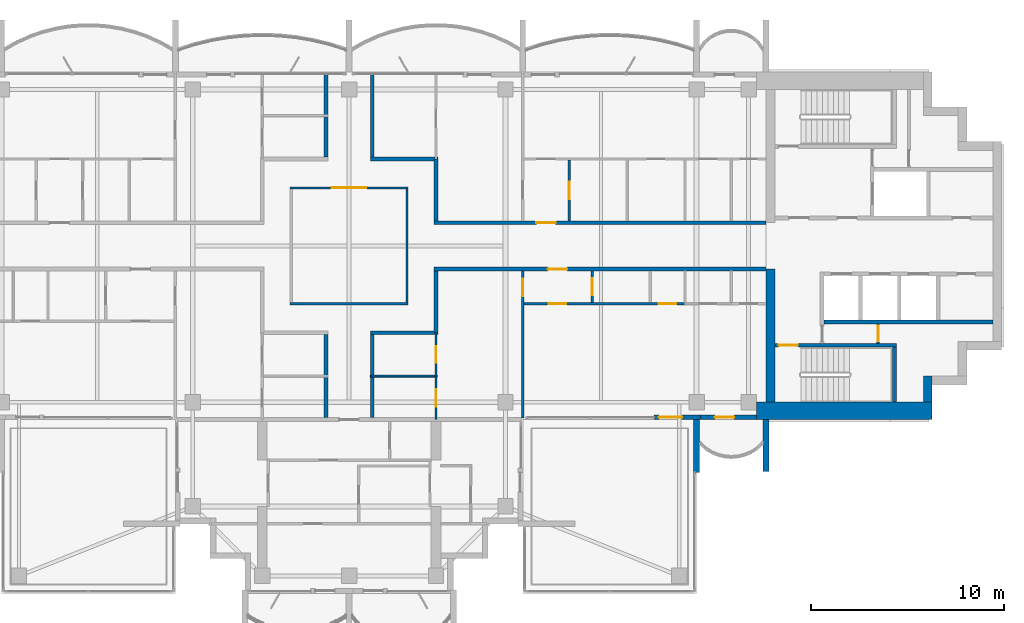
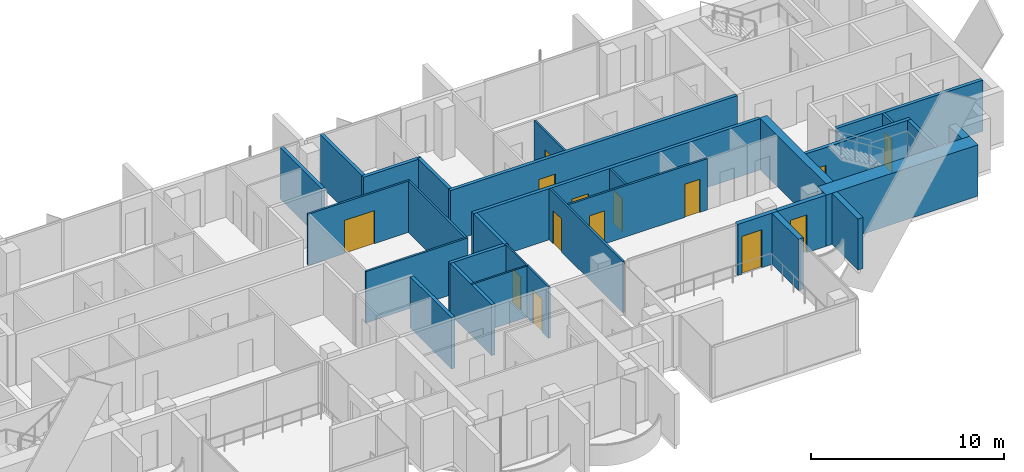
# One storey, part 10 of 16: 31 walls, 14 doors, 14 openings.
"""IFC4 building model written with IfcOpenShell, lengths in metres."""

from ifc_helpers import new_model, si_unit, direction, frame, frame_2d, origin, place, context, subcontext, project, spatial, rectangle, extrude, material, layer, layer_set, type_object, element, fill, save


model = new_model("IFC4")

# Units and contexts
model_context = context("Model", 3, precision=1e-05, world=origin(), true_north=direction((0.0, 1.0)))
body_context = subcontext(model_context, "Body", "Model", "MODEL_VIEW")
ifc_project = project(units=[si_unit("LENGTHUNIT", "METRE"), si_unit("AREAUNIT", "SQUARE_METRE"), si_unit("VOLUMEUNIT", "CUBIC_METRE"), si_unit("PLANEANGLEUNIT", "RADIAN"), si_unit("MASSUNIT", "GRAM", prefix="KILO")], contexts=[model_context])

# Site, building, storey
site_placement = place(None, origin())
site = spatial("IfcSite", under=ifc_project, at=site_placement, CompositionType="ELEMENT")
building_placement = place(site_placement, origin())
building = spatial("IfcBuilding", under=site, at=building_placement, Name="Perihelion Cross Residences", CompositionType="ELEMENT")
storey_placement = place(building_placement, frame((0.0, 0.0, 239.5)))
storey = spatial("IfcBuildingStorey", under=building, at=storey_placement, Name="L60", CompositionType="ELEMENT", Elevation=239.5)

# Wall, opening, door
ifc_material_1 = material(Name="Plasterboard partition")
ifc_layer_1 = layer(ifc_material_1, 0.199951171875)
ifc_layer_set_1 = layer_set([ifc_layer_1], Name="Apartment separation wall 200")
wall_type_1 = type_object("IfcWallType", Name="Apartment separation wall 200", PredefinedType="PARTITIONING", material=ifc_layer_set_1)
wall_1_placement = place(storey_placement, frame((4.39990234375, 1.199951171875, 0.0), z_axis=(0.0, 0.0, 1.0), x_axis=(1.0, 0.0, 0.0)))
wall_1 = element("IfcWall", 1, at=wall_1_placement, inside=storey, type_object=wall_type_1, Name="Partition L60 W005", PredefinedType="PARTITIONING", context=body_context, shape_type="SweptSolid", body=[
    extrude(rectangle(XDim=17.2001953125, YDim=0.199951171875, at=frame_2d((8.60009765625, 0.0))), origin(), (0.0, 0.0, 1.0), 3.25),
])
opening_1_placement = place(wall_1_placement, frame((5.300048828125, 0.0, 0.0)))
opening_1 = element("IfcOpeningElement", 2, at=opening_1_placement, cuts=wall_1, Name="Opening L60.A39", PredefinedType="OPENING", context=body_context, shape_type="SweptSolid", body=[
    extrude(rectangle(XDim=1.0, YDim=2.10009765625, at=frame_2d((0.5, 1.050048828125))), frame((0.0, 0.10986328125, 0.0), z_axis=(0.0, -1.0, 0.0), x_axis=(1.0, 0.0, 0.0)), (0.0, 0.0, 1.0), 0.219970703125),
])
ifc_material_2 = material(Name="Timber door leaf", Category="wood")
door_type_1 = type_object("IfcDoorType", Name="Flat entrance door 1000 x 2100", OperationType="SINGLE_SWING_LEFT", PredefinedType="DOOR", material=ifc_material_2)
door_1_placement = place(opening_1_placement, origin())
door_1 = element("IfcDoor", 3, at=door_1_placement, inside=storey, type_object=door_type_1, Name="Door L60.A39", OperationType="SINGLE_SWING_RIGHT", OverallHeight=2.10009765625, OverallWidth=1.0, PredefinedType="DOOR", context=body_context, shape_type="SweptSolid", body=[
    extrude(rectangle(XDim=1.0, YDim=2.10009765625, at=frame_2d((0.5, 1.050048828125))), frame((0.0, 0.02490234375, 0.0), z_axis=(0.0, -1.0, 0.0), x_axis=(1.0, 0.0, 0.0)), (0.0, 0.0, 1.0), 0.050048828125),
])
fill(opening_1, door_1)

# Walls
wall_2_placement = place(storey_placement, frame((4.5, 4.5, 0.0), z_axis=(0.0, 0.0, 1.0), x_axis=(0.0, -1.0, 0.0)))
element("IfcWall", 4, at=wall_2_placement, inside=storey, type_object=wall_type_1, Name="Partition L60 W006", PredefinedType="PARTITIONING", context=body_context, shape_type="SweptSolid", body=[
    extrude(rectangle(XDim=3.199951171875, YDim=0.199951171875, at=frame_2d((1.60009765625, 0.0))), origin(), (0.0, 0.0, 1.0), 3.25),
])
wall_3_placement = place(storey_placement, frame((1.199951171875, 8.919921875, 0.0), z_axis=(0.0, 0.0, 1.0), x_axis=(0.0, -1.0, 0.0)))
element("IfcWall", 5, at=wall_3_placement, inside=storey, type_object=wall_type_1, Name="Partition L60 W007", PredefinedType="PARTITIONING", context=body_context, shape_type="SweptSolid", body=[
    extrude(rectangle(XDim=4.31982421875, YDim=0.199951171875, at=frame_2d((2.159912109375, 0.0))), origin(), (0.0, 0.0, 1.0), 3.25),
])
wall_4_placement = place(storey_placement, frame((1.10009765625, 4.5, 0.0), z_axis=(0.0, 0.0, 1.0), x_axis=(1.0, 0.0, 0.0)))
element("IfcWall", 6, at=wall_4_placement, inside=storey, type_object=wall_type_1, Name="Partition L60 W008", PredefinedType="PARTITIONING", context=body_context, shape_type="SweptSolid", body=[
    extrude(rectangle(XDim=3.5, YDim=0.199951171875, at=frame_2d((1.75, 0.0))), origin(), (0.0, 0.0, 1.0), 3.25),
])

# Wall, opening, door
wall_5_placement = place(storey_placement, frame((21.60009765625, -1.199951171875, 0.0), z_axis=(0.0, 0.0, 1.0), x_axis=(-1.0, 0.0, 0.0)))
wall_5 = element("IfcWall", 7, at=wall_5_placement, inside=storey, type_object=wall_type_1, Name="Partition L60 W009", PredefinedType="PARTITIONING", context=body_context, shape_type="SweptSolid", body=[
    extrude(rectangle(XDim=17.2001953125, YDim=0.199951171875, at=frame_2d((8.60009765625, 0.0))), origin(), (0.0, 0.0, 1.0), 3.25),
])
opening_2_placement = place(wall_5_placement, frame((10.300048828125, 0.0, 0.0)))
opening_2 = element("IfcOpeningElement", 8, at=opening_2_placement, cuts=wall_5, Name="Opening L60.A40", PredefinedType="OPENING", context=body_context, shape_type="SweptSolid", body=[
    extrude(rectangle(XDim=1.0, YDim=2.10009765625, at=frame_2d((0.5, 1.050048828125))), frame((0.0, 0.10986328125, 0.0), z_axis=(0.0, -1.0, 0.0), x_axis=(1.0, 0.0, 0.0)), (0.0, 0.0, 1.0), 0.219970703125),
])
door_2_placement = place(opening_2_placement, origin())
door_2 = element("IfcDoor", 9, at=door_2_placement, inside=storey, type_object=door_type_1, Name="Door L60.A40", OperationType="SINGLE_SWING_RIGHT", OverallHeight=2.10009765625, OverallWidth=1.0, PredefinedType="DOOR", context=body_context, shape_type="SweptSolid", body=[
    extrude(rectangle(XDim=1.0, YDim=2.10009765625, at=frame_2d((0.5, 1.050048828125))), frame((0.0, 0.02490234375, 0.0), z_axis=(0.0, -1.0, 0.0), x_axis=(1.0, 0.0, 0.0)), (0.0, 0.0, 1.0), 0.050048828125),
])
fill(opening_2, door_2)

# Walls
wall_6_placement = place(storey_placement, frame((4.5, -1.300048828125, 0.0), z_axis=(0.0, 0.0, 1.0), x_axis=(0.0, -1.0, 0.0)))
element("IfcWall", 10, at=wall_6_placement, inside=storey, type_object=wall_type_1, Name="Partition L60 W010", PredefinedType="PARTITIONING", context=body_context, shape_type="SweptSolid", body=[
    extrude(rectangle(XDim=3.199951171875, YDim=0.199951171875, at=frame_2d((1.60009765625, 0.0))), origin(), (0.0, 0.0, 1.0), 3.25),
])
wall_7_placement = place(storey_placement, frame((4.60009765625, -4.5, 0.0), z_axis=(0.0, 0.0, 1.0), x_axis=(-1.0, 0.0, 0.0)))
element("IfcWall", 11, at=wall_7_placement, inside=storey, type_object=wall_type_1, Name="Partition L60 W011", PredefinedType="PARTITIONING", context=body_context, shape_type="SweptSolid", body=[
    extrude(rectangle(XDim=3.5, YDim=0.199951171875, at=frame_2d((1.75, 0.0))), origin(), (0.0, 0.0, 1.0), 3.25),
])
wall_8_placement = place(storey_placement, frame((1.199951171875, -4.60009765625, 0.0), z_axis=(0.0, 0.0, 1.0), x_axis=(0.0, -1.0, 0.0)))
element("IfcWall", 12, at=wall_8_placement, inside=storey, type_object=wall_type_1, Name="Partition L60 W012", PredefinedType="PARTITIONING", context=body_context, shape_type="SweptSolid", body=[
    extrude(rectangle(XDim=4.2998046875, YDim=0.199951171875, at=frame_2d((2.14990234375, 0.0))), origin(), (0.0, 0.0, 1.0), 3.25),
])
wall_9_placement = place(storey_placement, frame((-1.199951171875, 4.60009765625, 0.0), z_axis=(0.0, 0.0, 1.0), x_axis=(0.0, 1.0, 0.0)))
element("IfcWall", 13, at=wall_9_placement, inside=storey, type_object=wall_type_1, Name="Partition L60 W016", PredefinedType="PARTITIONING", context=body_context, shape_type="SweptSolid", body=[
    extrude(rectangle(XDim=4.31982421875, YDim=0.199951171875, at=frame_2d((2.159912109375, 0.0))), origin(), (0.0, 0.0, 1.0), 3.25),
])
wall_10_placement = place(storey_placement, frame((-1.199951171875, -8.89990234375, 0.0), z_axis=(0.0, 0.0, 1.0), x_axis=(0.0, 1.0, 0.0)))
element("IfcWall", 14, at=wall_10_placement, inside=storey, type_object=wall_type_1, Name="Partition L60 W019", PredefinedType="PARTITIONING", context=body_context, shape_type="SweptSolid", body=[
    extrude(rectangle(XDim=4.2998046875, YDim=0.199951171875, at=frame_2d((2.14990234375, 0.0))), origin(), (0.0, 0.0, 1.0), 3.25),
])

# Wall, opening, door
ifc_material_3 = material(Name="Concrete C30/37, bronze-clad", Category="concrete")
ifc_layer_2 = layer(ifc_material_3, 0.25)
ifc_layer_set_2 = layer_set([ifc_layer_2], Name="Bronze-clad pier wall 250")
wall_type_2 = type_object("IfcWallType", Name="Bronze-clad pier wall 250", PredefinedType="SOLIDWALL", material=ifc_layer_set_2)
wall_11_placement = place(storey_placement, frame((15.800048828125, -8.875, 0.0), z_axis=(0.0, 0.0, 1.0), x_axis=(1.0, 0.0, 0.0)))
wall_11 = element("IfcWall", 15, at=wall_11_placement, inside=storey, type_object=wall_type_2, Name="Wall FW1 L60 east side south bay 1 pier", PredefinedType="SOLIDWALL", context=body_context, shape_type="SweptSolid", body=[
    extrude(rectangle(XDim=2.39990234375, YDim=0.25, at=frame_2d((1.199951171875, 0.0))), origin(), (0.0, 0.0, 1.0), 3.25),
])
opening_3_placement = place(wall_11_placement, frame((0.25, 0.0, 0.0)))
opening_3 = element("IfcOpeningElement", 16, at=opening_3_placement, cuts=wall_11, Name="Opening L60.E13", PredefinedType="OPENING", context=body_context, shape_type="SweptSolid", body=[
    extrude(rectangle(XDim=1.199951171875, YDim=2.39990234375, at=frame_2d((0.60009765625, 1.199951171875))), frame((0.0, 0.135009765625, 0.0), z_axis=(0.0, -1.0, 0.0), x_axis=(1.0, 0.0, 0.0)), (0.0, 0.0, 1.0), 0.27001953125),
])
ifc_material_4 = material(Name="Bronze anodised aluminium, glazed", Category="aluminium")
door_type_2 = type_object("IfcDoorType", Name="Balcony door 1200 x 2400", OperationType="NOTDEFINED", PredefinedType="DOOR", material=ifc_material_4)
door_3_placement = place(opening_3_placement, origin())
door_3 = element("IfcDoor", 17, at=door_3_placement, inside=storey, type_object=door_type_2, Name="Door L60.E13 east side south bay 1", OperationType="SINGLE_SWING_LEFT", OverallHeight=2.39990234375, OverallWidth=1.199951171875, PredefinedType="DOOR", context=body_context, shape_type="SweptSolid", body=[
    extrude(rectangle(XDim=1.199951171875, YDim=2.39990234375, at=frame_2d((0.60009765625, 1.199951171875))), frame((0.0, 0.02490234375, 0.0), z_axis=(0.0, -1.0, 0.0), x_axis=(1.0, 0.0, 0.0)), (0.0, 0.0, 1.0), 0.050048828125),
])
fill(opening_3, door_3)

wall_12_placement = place(storey_placement, frame((18.199951171875, -8.875, 0.0), z_axis=(0.0, 0.0, 1.0), x_axis=(1.0, 0.0, 0.0)))
wall_12 = element("IfcWall", 18, at=wall_12_placement, inside=storey, type_object=wall_type_2, Name="Wall FW1 L60 east side south bay 2 pier", PredefinedType="SOLIDWALL", context=body_context, shape_type="SweptSolid", body=[
    extrude(rectangle(XDim=2.900146484375, YDim=0.25, at=frame_2d((1.4501953125, 0.0))), origin(), (0.0, 0.0, 1.0), 3.25),
])
opening_4_placement = place(wall_12_placement, frame((0.75, 0.0, 0.0)))
opening_4 = element("IfcOpeningElement", 19, at=opening_4_placement, cuts=wall_12, Name="Opening L60.E14", PredefinedType="OPENING", context=body_context, shape_type="SweptSolid", body=[
    extrude(rectangle(XDim=1.0, YDim=2.39990234375, at=frame_2d((0.5, 1.199951171875))), frame((0.0, 0.135009765625, 0.0), z_axis=(0.0, -1.0, 0.0), x_axis=(1.0, 0.0, 0.0)), (0.0, 0.0, 1.0), 0.27001953125),
])
ifc_material_5 = material(Name="Bronze anodised aluminium, glazed", Category="aluminium")
door_type_3 = type_object("IfcDoorType", Name="Balcony door 1000 x 2400", OperationType="NOTDEFINED", PredefinedType="DOOR", material=ifc_material_5)
door_4_placement = place(opening_4_placement, origin())
door_4 = element("IfcDoor", 20, at=door_4_placement, inside=storey, type_object=door_type_3, Name="Door L60.E14 east side south bay 2", OperationType="SINGLE_SWING_RIGHT", OverallHeight=2.39990234375, OverallWidth=1.0, PredefinedType="DOOR", context=body_context, shape_type="SweptSolid", body=[
    extrude(rectangle(XDim=1.0, YDim=2.39990234375, at=frame_2d((0.5, 1.199951171875))), frame((0.0, 0.02490234375, 0.0), z_axis=(0.0, -1.0, 0.0), x_axis=(1.0, 0.0, 0.0)), (0.0, 0.0, 1.0), 0.050048828125),
])
fill(opening_4, door_4)

# Walls
ifc_material_6 = material(Name="Concrete C60/75", Category="concrete")
ifc_layer_3 = layer(ifc_material_6, 0.449951171875)
ifc_layer_set_3 = layer_set([ifc_layer_3], Name="Core wall, inner 450")
wall_type_3 = type_object("IfcWallType", Name="Core wall, inner 450", PredefinedType="SHEAR", material=ifc_layer_set_3)
wall_13_placement = place(storey_placement, frame((21.824951171875, -8.10009765625, 0.0), z_axis=(0.0, 0.0, 1.0), x_axis=(0.0, 1.0, 0.0)))
element("IfcWall", 21, at=wall_13_placement, inside=storey, type_object=wall_type_3, Name="East core core wall, inner", PredefinedType="SHEAR", context=body_context, shape_type="SweptSolid", body=[
    extrude(rectangle(XDim=6.900146484375, YDim=0.449951171875, at=frame_2d((3.4501953125, 0.0))), origin(), (0.0, 0.0, 1.0), 3.25),
])
ifc_material_7 = material(Name="Concrete C60/75", Category="concrete")
ifc_layer_4 = layer(ifc_material_7, 0.449951171875)
ifc_layer_set_4 = layer_set([ifc_layer_4], Name="Core wall, outer 450")
wall_type_4 = type_object("IfcWallType", Name="Core wall, outer 450", PredefinedType="SHEAR", material=ifc_layer_set_4)
wall_14_placement = place(storey_placement, frame((29.97509765625, -8.10009765625, 0.0), z_axis=(0.0, 0.0, 1.0), x_axis=(0.0, 1.0, 0.0)))
element("IfcWall", 22, at=wall_14_placement, inside=storey, type_object=wall_type_4, Name="East core core wall, outer", PredefinedType="SHEAR", context=body_context, shape_type="SweptSolid", body=[
    extrude(rectangle(XDim=1.35009765625, YDim=0.449951171875, at=frame_2d((0.675048828125, 0.0))), origin(), (0.0, 0.0, 1.0), 3.25),
])
ifc_material_8 = material(Name="Concrete C60/75", Category="concrete")
ifc_layer_5 = layer(ifc_material_8, 0.89990234375)
ifc_layer_set_5 = layer_set([ifc_layer_5], Name="Core wall, outer 900")
wall_type_5 = type_object("IfcWallType", Name="Core wall, outer 900", PredefinedType="SHEAR", material=ifc_layer_set_5)
wall_15_placement = place(storey_placement, frame((21.10009765625, -8.550048828125, 0.0), z_axis=(0.0, 0.0, 1.0), x_axis=(1.0, 0.0, 0.0)))
element("IfcWall", 23, at=wall_15_placement, inside=storey, type_object=wall_type_5, Name="East core core wall, outer", PredefinedType="SHEAR", context=body_context, shape_type="SweptSolid", body=[
    extrude(rectangle(XDim=9.099853515625, YDim=0.89990234375, at=frame_2d((4.5498046875, 0.0))), origin(), (0.0, 0.0, 1.0), 3.25),
])
ifc_material_9 = material(Name="Plasterboard partition")
ifc_layer_6 = layer(ifc_material_9, 0.1201171875)
ifc_layer_set_6 = layer_set([ifc_layer_6], Name="Partition wall 120")
wall_type_6 = type_object("IfcWallType", Name="Partition wall 120", PredefinedType="PARTITIONING", material=ifc_layer_set_6)
wall_16_placement = place(storey_placement, frame((-3.06005859375, -3.0, 0.0), z_axis=(0.0, 0.0, 1.0), x_axis=(1.0, 0.0, 0.0)))
element("IfcWall", 24, at=wall_16_placement, inside=storey, type_object=wall_type_6, Name="Partition L60 W001", PredefinedType="PARTITIONING", context=body_context, shape_type="SweptSolid", body=[
    extrude(rectangle(XDim=6.1201171875, YDim=0.1201171875, at=frame_2d((3.06005859375, 0.0))), origin(), (0.0, 0.0, 1.0), 3.25),
])
wall_17_placement = place(storey_placement, frame((3.0, -2.93994140625, 0.0), z_axis=(0.0, 0.0, 1.0), x_axis=(0.0, 1.0, 0.0)))
element("IfcWall", 25, at=wall_17_placement, inside=storey, type_object=wall_type_6, Name="Partition L60 W002", PredefinedType="PARTITIONING", context=body_context, shape_type="SweptSolid", body=[
    extrude(rectangle(XDim=5.8798828125, YDim=0.1201171875, at=frame_2d((2.93994140625, 0.0))), origin(), (0.0, 0.0, 1.0), 3.25),
])

# Wall, opening, door
wall_18_placement = place(storey_placement, frame((3.06005859375, 3.0, 0.0), z_axis=(0.0, 0.0, 1.0), x_axis=(-1.0, 0.0, 0.0)))
wall_18 = element("IfcWall", 26, at=wall_18_placement, inside=storey, type_object=wall_type_6, Name="Partition L60 W003", PredefinedType="PARTITIONING", context=body_context, shape_type="SweptSolid", body=[
    extrude(rectangle(XDim=6.1201171875, YDim=0.1201171875, at=frame_2d((3.06005859375, 0.0))), origin(), (0.0, 0.0, 1.0), 3.25),
])
opening_5_placement = place(wall_18_placement, frame((2.159912109375, 0.0, 0.0)))
opening_5 = element("IfcOpeningElement", 27, at=opening_5_placement, cuts=wall_18, Name="Opening L60.A01", PredefinedType="OPENING", context=body_context, shape_type="SweptSolid", body=[
    extrude(rectangle(XDim=1.800048828125, YDim=2.10009765625, at=frame_2d((0.89990234375, 1.050048828125))), frame((0.0, 0.070068359375, 0.0), z_axis=(0.0, -1.0, 0.0), x_axis=(1.0, 0.0, 0.0)), (0.0, 0.0, 1.0), 0.14013671875),
])
ifc_material_10 = material(Name="Glazed timber door leaf", Category="wood")
door_type_4 = type_object("IfcDoorType", Name="Interior double leaf door 1800 x 2100", OperationType="DOUBLE_DOOR_SINGLE_SWING", PredefinedType="DOOR", material=ifc_material_10)
door_5_placement = place(opening_5_placement, origin())
door_5 = element("IfcDoor", 28, at=door_5_placement, inside=storey, type_object=door_type_4, Name="Door L60.A01", OperationType="SINGLE_SWING_LEFT", OverallHeight=2.10009765625, OverallWidth=1.800048828125, PredefinedType="DOOR", context=body_context, shape_type="SweptSolid", body=[
    extrude(rectangle(XDim=1.800048828125, YDim=2.10009765625, at=frame_2d((0.89990234375, 1.050048828125))), frame((0.0, 0.02490234375, 0.0), z_axis=(0.0, -1.0, 0.0), x_axis=(1.0, 0.0, 0.0)), (0.0, 0.0, 1.0), 0.050048828125),
])
fill(opening_5, door_5)

wall_19_placement = place(storey_placement, frame((11.39990234375, 4.43994140625, 0.0), z_axis=(0.0, 0.0, 1.0), x_axis=(0.0, -1.0, 0.0)))
wall_19 = element("IfcWall", 29, at=wall_19_placement, inside=storey, type_object=wall_type_6, Name="Partition L60 W022", PredefinedType="PARTITIONING", context=body_context, shape_type="SweptSolid", body=[
    extrude(rectangle(XDim=3.139892578125, YDim=0.1201171875, at=frame_2d((1.56982421875, 0.0))), origin(), (0.0, 0.0, 1.0), 3.25),
])
opening_6_placement = place(wall_19_placement, frame((1.1201171875, 0.0, 0.0)))
opening_6 = element("IfcOpeningElement", 30, at=opening_6_placement, cuts=wall_19, Name="Opening L60.A04", PredefinedType="OPENING", context=body_context, shape_type="SweptSolid", body=[
    extrude(rectangle(XDim=0.89990234375, YDim=2.10009765625, at=frame_2d((0.449951171875, 1.050048828125))), frame((0.0, 0.070068359375, 0.0), z_axis=(0.0, -1.0, 0.0), x_axis=(1.0, 0.0, 0.0)), (0.0, 0.0, 1.0), 0.14013671875),
])
ifc_material_11 = material(Name="Timber door leaf", Category="wood")
door_type_5 = type_object("IfcDoorType", Name="Interior room door 900 x 2100", OperationType="SINGLE_SWING_LEFT", PredefinedType="DOOR", material=ifc_material_11)
door_6_placement = place(opening_6_placement, origin())
door_6 = element("IfcDoor", 31, at=door_6_placement, inside=storey, type_object=door_type_5, Name="Door L60.A04", OperationType="SINGLE_SWING_LEFT", OverallHeight=2.10009765625, OverallWidth=0.89990234375, PredefinedType="DOOR", context=body_context, shape_type="SweptSolid", body=[
    extrude(rectangle(XDim=0.89990234375, YDim=2.10009765625, at=frame_2d((0.449951171875, 1.050048828125))), frame((0.0, 0.02490234375, 0.0), z_axis=(0.0, -1.0, 0.0), x_axis=(1.0, 0.0, 0.0)), (0.0, 0.0, 1.0), 0.050048828125),
])
fill(opening_6, door_6)

wall_20_placement = place(storey_placement, frame((12.60009765625, -1.300048828125, 0.0), z_axis=(0.0, 0.0, 1.0), x_axis=(0.0, -1.0, 0.0)))
wall_20 = element("IfcWall", 32, at=wall_20_placement, inside=storey, type_object=wall_type_6, Name="Partition L60 W032", PredefinedType="PARTITIONING", context=body_context, shape_type="SweptSolid", body=[
    extrude(rectangle(XDim=1.639892578125, YDim=0.1201171875, at=frame_2d((0.81982421875, 0.0))), origin(), (0.0, 0.0, 1.0), 3.25),
])
opening_7_placement = place(wall_20_placement, frame((0.3701171875, 0.0, 0.0)))
opening_7 = element("IfcOpeningElement", 33, at=opening_7_placement, cuts=wall_20, Name="Opening L60.A13", PredefinedType="OPENING", context=body_context, shape_type="SweptSolid", body=[
    extrude(rectangle(XDim=0.89990234375, YDim=2.10009765625, at=frame_2d((0.449951171875, 1.050048828125))), frame((0.0, 0.070068359375, 0.0), z_axis=(0.0, -1.0, 0.0), x_axis=(1.0, 0.0, 0.0)), (0.0, 0.0, 1.0), 0.14013671875),
])
door_7_placement = place(opening_7_placement, origin())
door_7 = element("IfcDoor", 34, at=door_7_placement, inside=storey, type_object=door_type_5, Name="Door L60.A13", OperationType="SINGLE_SWING_LEFT", OverallHeight=2.10009765625, OverallWidth=0.89990234375, PredefinedType="DOOR", context=body_context, shape_type="SweptSolid", body=[
    extrude(rectangle(XDim=0.89990234375, YDim=2.10009765625, at=frame_2d((0.449951171875, 1.050048828125))), frame((0.0, 0.02490234375, 0.0), z_axis=(0.0, -1.0, 0.0), x_axis=(1.0, 0.0, 0.0)), (0.0, 0.0, 1.0), 0.050048828125),
])
fill(opening_7, door_7)

# Wall, openings, doors
wall_21_placement = place(storey_placement, frame((17.39990234375, -3.0, 0.0), z_axis=(0.0, 0.0, 1.0), x_axis=(-1.0, 0.0, 0.0)))
wall_21 = element("IfcWall", 35, at=wall_21_placement, inside=storey, type_object=wall_type_6, Name="Partition L60 W033", PredefinedType="PARTITIONING", context=body_context, shape_type="SweptSolid", body=[
    extrude(rectangle(XDim=8.4599609375, YDim=0.1201171875, at=frame_2d((4.22998046875, 0.0))), origin(), (0.0, 0.0, 1.0), 3.25),
])
opening_8_placement = place(wall_21_placement, frame((0.449951171875, 0.0, 0.0)))
opening_8 = element("IfcOpeningElement", 36, at=opening_8_placement, cuts=wall_21, Name="Opening L60.A14", PredefinedType="OPENING", context=body_context, shape_type="SweptSolid", body=[
    extrude(rectangle(XDim=0.89990234375, YDim=2.10009765625, at=frame_2d((0.449951171875, 1.050048828125))), frame((0.0, 0.070068359375, 0.0), z_axis=(0.0, -1.0, 0.0), x_axis=(1.0, 0.0, 0.0)), (0.0, 0.0, 1.0), 0.14013671875),
])
opening_9_placement = place(wall_21_placement, frame((6.14990234375, 0.0, 0.0)))
opening_9 = element("IfcOpeningElement", 37, at=opening_9_placement, cuts=wall_21, Name="Opening L60.A16", PredefinedType="OPENING", context=body_context, shape_type="SweptSolid", body=[
    extrude(rectangle(XDim=0.89990234375, YDim=2.10009765625, at=frame_2d((0.449951171875, 1.050048828125))), frame((0.0, 0.070068359375, 0.0), z_axis=(0.0, -1.0, 0.0), x_axis=(1.0, 0.0, 0.0)), (0.0, 0.0, 1.0), 0.14013671875),
])
door_8_placement = place(opening_8_placement, origin())
door_8 = element("IfcDoor", 38, at=door_8_placement, inside=storey, type_object=door_type_5, Name="Door L60.A14", OperationType="SINGLE_SWING_RIGHT", OverallHeight=2.10009765625, OverallWidth=0.89990234375, PredefinedType="DOOR", context=body_context, shape_type="SweptSolid", body=[
    extrude(rectangle(XDim=0.89990234375, YDim=2.10009765625, at=frame_2d((0.449951171875, 1.050048828125))), frame((0.0, 0.02490234375, 0.0), z_axis=(0.0, -1.0, 0.0), x_axis=(1.0, 0.0, 0.0)), (0.0, 0.0, 1.0), 0.050048828125),
])
fill(opening_8, door_8)
door_9_placement = place(opening_9_placement, origin())
door_9 = element("IfcDoor", 39, at=door_9_placement, inside=storey, type_object=door_type_5, Name="Door L60.A16", OperationType="SINGLE_SWING_RIGHT", OverallHeight=2.10009765625, OverallWidth=0.89990234375, PredefinedType="DOOR", context=body_context, shape_type="SweptSolid", body=[
    extrude(rectangle(XDim=0.89990234375, YDim=2.10009765625, at=frame_2d((0.449951171875, 1.050048828125))), frame((0.0, 0.02490234375, 0.0), z_axis=(0.0, -1.0, 0.0), x_axis=(1.0, 0.0, 0.0)), (0.0, 0.0, 1.0), 0.050048828125),
])
fill(opening_9, door_9)

# Wall, opening, door
wall_22_placement = place(storey_placement, frame((9.0, -8.919921875, 0.0), z_axis=(0.0, 0.0, 1.0), x_axis=(0.0, 1.0, 0.0)))
wall_22 = element("IfcWall", 40, at=wall_22_placement, inside=storey, type_object=wall_type_6, Name="Partition L60 W034", PredefinedType="PARTITIONING", context=body_context, shape_type="SweptSolid", body=[
    extrude(rectangle(XDim=7.619873046875, YDim=0.1201171875, at=frame_2d((3.81005859375, 0.0))), origin(), (0.0, 0.0, 1.0), 3.25),
])
opening_10_placement = place(wall_22_placement, frame((6.320068359375, 0.0, 0.0)))
opening_10 = element("IfcOpeningElement", 41, at=opening_10_placement, cuts=wall_22, Name="Opening L60.A12", PredefinedType="OPENING", context=body_context, shape_type="SweptSolid", body=[
    extrude(rectangle(XDim=0.89990234375, YDim=2.10009765625, at=frame_2d((0.449951171875, 1.050048828125))), frame((0.0, 0.070068359375, 0.0), z_axis=(0.0, -1.0, 0.0), x_axis=(1.0, 0.0, 0.0)), (0.0, 0.0, 1.0), 0.14013671875),
])
door_10_placement = place(opening_10_placement, origin())
door_10 = element("IfcDoor", 42, at=door_10_placement, inside=storey, type_object=door_type_5, Name="Door L60.A12", OperationType="SINGLE_SWING_RIGHT", OverallHeight=2.10009765625, OverallWidth=0.89990234375, PredefinedType="DOOR", context=body_context, shape_type="SweptSolid", body=[
    extrude(rectangle(XDim=0.89990234375, YDim=2.10009765625, at=frame_2d((0.449951171875, 1.050048828125))), frame((0.0, 0.02490234375, 0.0), z_axis=(0.0, -1.0, 0.0), x_axis=(1.0, 0.0, 0.0)), (0.0, 0.0, 1.0), 0.050048828125),
])
fill(opening_10, door_10)

wall_23_placement = place(storey_placement, frame((4.5, -9.0, 0.0), z_axis=(0.0, 0.0, 1.0), x_axis=(0.0, 1.0, 0.0)))
wall_23 = element("IfcWall", 43, at=wall_23_placement, inside=storey, type_object=wall_type_6, Name="Partition L60 W041", PredefinedType="PARTITIONING", context=body_context, shape_type="SweptSolid", body=[
    extrude(rectangle(XDim=2.25, YDim=0.1201171875, at=frame_2d((1.125, 0.0))), origin(), (0.0, 0.0, 1.0), 3.25),
])
opening_11_placement = place(wall_23_placement, frame((0.675048828125, 0.0, 0.0)))
opening_11 = element("IfcOpeningElement", 44, at=opening_11_placement, cuts=wall_23, Name="Opening L60.A15", PredefinedType="OPENING", context=body_context, shape_type="SweptSolid", body=[
    extrude(rectangle(XDim=0.89990234375, YDim=2.10009765625, at=frame_2d((0.449951171875, 1.050048828125))), frame((0.0, 0.070068359375, 0.0), z_axis=(0.0, -1.0, 0.0), x_axis=(1.0, 0.0, 0.0)), (0.0, 0.0, 1.0), 0.14013671875),
])
door_11_placement = place(opening_11_placement, origin())
door_11 = element("IfcDoor", 45, at=door_11_placement, inside=storey, type_object=door_type_5, Name="Door L60.A15", OperationType="SINGLE_SWING_RIGHT", OverallHeight=2.10009765625, OverallWidth=0.89990234375, PredefinedType="DOOR", context=body_context, shape_type="SweptSolid", body=[
    extrude(rectangle(XDim=0.89990234375, YDim=2.10009765625, at=frame_2d((0.449951171875, 1.050048828125))), frame((0.0, 0.02490234375, 0.0), z_axis=(0.0, -1.0, 0.0), x_axis=(1.0, 0.0, 0.0)), (0.0, 0.0, 1.0), 0.050048828125),
])
fill(opening_11, door_11)

# Walls
ifc_material_12 = material(Name="Precast concrete C50/60", Category="concrete")
ifc_layer_7 = layer(ifc_material_12, 0.300048828125)
ifc_layer_set_7 = layer_set([ifc_layer_7], Name="Precast concrete C50/60 blade wall 300")
wall_type_7 = type_object("IfcWallType", Name="Precast concrete C50/60 blade wall 300", PredefinedType="SOLIDWALL", material=ifc_layer_set_7)
wall_24_placement = place(storey_placement, frame((18.0, -9.0, 0.0), z_axis=(0.0, 0.0, 1.0), x_axis=(0.0, -1.0, 0.0)))
element("IfcWall", 46, at=wall_24_placement, inside=storey, type_object=wall_type_7, Name="Wall BL1 L60 no. 10", PredefinedType="SOLIDWALL", context=body_context, shape_type="SweptSolid", body=[
    extrude(rectangle(XDim=2.739990234375, YDim=0.300048828125, at=frame_2d((1.3701171875, 0.0))), origin(), (0.0, 0.0, 1.0), 3.25),
])
wall_25_placement = place(storey_placement, frame((21.60009765625, -9.0, 0.0), z_axis=(0.0, 0.0, 1.0), x_axis=(0.0, -1.0, 0.0)))
element("IfcWall", 47, at=wall_25_placement, inside=storey, type_object=wall_type_7, Name="Wall BL1 L60 no. 12", PredefinedType="SOLIDWALL", context=body_context, shape_type="SweptSolid", body=[
    extrude(rectangle(XDim=2.699951171875, YDim=0.300048828125, at=frame_2d((1.35009765625, 0.0))), origin(), (0.0, 0.0, 1.0), 3.25),
])

# Wall, opening, door
ifc_material_13 = material(Name="Fire-rated board on steel stud", Category="steel")
ifc_layer_8 = layer(ifc_material_13, 0.14990234375)
ifc_layer_set_8 = layer_set([ifc_layer_8], Name="Riser wall 150")
wall_type_8 = type_object("IfcWallType", Name="Riser wall 150", PredefinedType="PARTITIONING", material=ifc_layer_set_8)
wall_26_placement = place(storey_placement, frame((27.39990234375, -5.050048828125, 0.0), z_axis=(0.0, 0.0, 1.0), x_axis=(0.0, 1.0, 0.0)))
wall_26 = element("IfcWall", 48, at=wall_26_placement, inside=storey, type_object=wall_type_8, Name="East core riser wall", PredefinedType="PARTITIONING", context=body_context, shape_type="SweptSolid", body=[
    extrude(rectangle(XDim=1.0, YDim=0.14990234375, at=frame_2d((0.5, 0.0))), origin(), (0.0, 0.0, 1.0), 3.25),
])
opening_12_placement = place(wall_26_placement, frame((0.10009765625, 0.0, 0.0)))
opening_12 = element("IfcOpeningElement", 49, at=opening_12_placement, cuts=wall_26, Name="Opening L60.C11", PredefinedType="OPENING", context=body_context, shape_type="SweptSolid", body=[
    extrude(rectangle(XDim=0.800048828125, YDim=2.10009765625, at=frame_2d((0.39990234375, 1.050048828125))), frame((0.0, 0.0849609375, 0.0), z_axis=(0.0, -1.0, 0.0), x_axis=(1.0, 0.0, 0.0)), (0.0, 0.0, 1.0), 0.169921875),
])
ifc_material_14 = material(Name="Steel, powder coated", Category="steel")
door_type_6 = type_object("IfcDoorType", Name="Riser door 800", OperationType="SINGLE_SWING_LEFT", PredefinedType="DOOR", material=ifc_material_14)
door_12_placement = place(opening_12_placement, origin())
door_12 = element("IfcDoor", 50, at=door_12_placement, inside=storey, type_object=door_type_6, Name="East core riser door", OperationType="SINGLE_SWING_LEFT", OverallHeight=2.10009765625, OverallWidth=0.800048828125, PredefinedType="DOOR", context=body_context, shape_type="SweptSolid", body=[
    extrude(rectangle(XDim=0.800048828125, YDim=2.10009765625, at=frame_2d((0.39990234375, 1.050048828125))), frame((0.0, 0.02490234375, 0.0), z_axis=(0.0, -1.0, 0.0), x_axis=(1.0, 0.0, 0.0)), (0.0, 0.0, 1.0), 0.050048828125),
])
fill(opening_12, door_12)

# Wall
ifc_material_15 = material(Name="Concrete C50/60", Category="concrete")
ifc_layer_9 = layer(ifc_material_15, 0.199951171875)
ifc_layer_set_9 = layer_set([ifc_layer_9], Name="Shaft wall 200")
wall_type_9 = type_object("IfcWallType", Name="Shaft wall 200", PredefinedType="SOLIDWALL", material=ifc_layer_set_9)
wall_27_placement = place(storey_placement, frame((24.60009765625, -3.949951171875, 0.0), z_axis=(0.0, 0.0, 1.0), x_axis=(1.0, 0.0, 0.0)))
element("IfcWall", 51, at=wall_27_placement, inside=storey, type_object=wall_type_9, Name="East core shaft wall", PredefinedType="SOLIDWALL", context=body_context, shape_type="SweptSolid", body=[
    extrude(rectangle(XDim=8.75, YDim=0.199951171875, at=frame_2d((4.375, 0.0))), origin(), (0.0, 0.0, 1.0), 3.25),
])

# Wall, opening, door
ifc_material_16 = material(Name="Concrete C50/60", Category="concrete")
ifc_layer_10 = layer(ifc_material_16, 0.199951171875)
ifc_layer_set_10 = layer_set([ifc_layer_10], Name="Stair wall 200")
wall_type_10 = type_object("IfcWallType", Name="Stair wall 200", PredefinedType="SOLIDWALL", material=ifc_layer_set_10)
wall_28_placement = place(storey_placement, frame((22.050048828125, -5.14990234375, 0.0), z_axis=(0.0, 0.0, 1.0), x_axis=(1.0, 0.0, 0.0)))
wall_28 = element("IfcWall", 52, at=wall_28_placement, inside=storey, type_object=wall_type_10, Name="East core stair wall", PredefinedType="SOLIDWALL", context=body_context, shape_type="SweptSolid", body=[
    extrude(rectangle(XDim=6.300048828125, YDim=0.199951171875, at=frame_2d((3.14990234375, 0.0))), origin(), (0.0, 0.0, 1.0), 3.25),
])
opening_13_placement = place(wall_28_placement, frame((0.199951171875, 0.0, 0.0)))
opening_13 = element("IfcOpeningElement", 53, at=opening_13_placement, cuts=wall_28, Name="Opening L60.C05", PredefinedType="OPENING", context=body_context, shape_type="SweptSolid", body=[
    extrude(rectangle(XDim=1.0, YDim=2.10009765625, at=frame_2d((0.5, 1.050048828125))), frame((0.0, 0.10986328125, 0.0), z_axis=(0.0, -1.0, 0.0), x_axis=(1.0, 0.0, 0.0)), (0.0, 0.0, 1.0), 0.219970703125),
])
ifc_material_17 = material(Name="Steel, powder coated", Category="steel")
door_type_7 = type_object("IfcDoorType", Name="Stair door 1000", OperationType="SINGLE_SWING_LEFT", PredefinedType="DOOR", material=ifc_material_17)
door_13_placement = place(opening_13_placement, origin())
door_13 = element("IfcDoor", 54, at=door_13_placement, inside=storey, type_object=door_type_7, Name="East core stair door", OperationType="SINGLE_SWING_LEFT", OverallHeight=2.10009765625, OverallWidth=1.0, PredefinedType="DOOR", context=body_context, shape_type="SweptSolid", body=[
    extrude(rectangle(XDim=1.0, YDim=2.10009765625, at=frame_2d((0.5, 1.050048828125))), frame((0.0, 0.02490234375, 0.0), z_axis=(0.0, -1.0, 0.0), x_axis=(1.0, 0.0, 0.0)), (0.0, 0.0, 1.0), 0.050048828125),
])
fill(opening_13, door_13)

# Wall
wall_29_placement = place(storey_placement, frame((28.25, -8.10009765625, 0.0), z_axis=(0.0, 0.0, 1.0), x_axis=(0.0, 1.0, 0.0)))
element("IfcWall", 55, at=wall_29_placement, inside=storey, type_object=wall_type_10, Name="East core stair wall", PredefinedType="SOLIDWALL", context=body_context, shape_type="SweptSolid", body=[
    extrude(rectangle(XDim=2.85009765625, YDim=0.199951171875, at=frame_2d((1.425048828125, 0.0))), origin(), (0.0, 0.0, 1.0), 3.25),
])

# Wall, opening, door
ifc_material_18 = material(Name="Plasterboard partition")
ifc_layer_11 = layer(ifc_material_18, 0.10009765625)
ifc_layer_set_11 = layer_set([ifc_layer_11], Name="Wet room wall 100")
wall_type_11 = type_object("IfcWallType", Name="Wet room wall 100", PredefinedType="PARTITIONING", material=ifc_layer_set_11)
wall_30_placement = place(storey_placement, frame((4.5, -6.75, 0.0), z_axis=(0.0, 0.0, 1.0), x_axis=(0.0, 1.0, 0.0)))
wall_30 = element("IfcWall", 56, at=wall_30_placement, inside=storey, type_object=wall_type_11, Name="Partition L60 W040", PredefinedType="PARTITIONING", context=body_context, shape_type="SweptSolid", body=[
    extrude(rectangle(XDim=2.25, YDim=0.10009765625, at=frame_2d((1.125, 0.0))), origin(), (0.0, 0.0, 1.0), 3.25),
])
opening_14_placement = place(wall_30_placement, frame((0.699951171875, 0.0, 0.0)))
opening_14 = element("IfcOpeningElement", 57, at=opening_14_placement, cuts=wall_30, Name="Opening L60.A11", PredefinedType="OPENING", context=body_context, shape_type="SweptSolid", body=[
    extrude(rectangle(XDim=0.85009765625, YDim=2.10009765625, at=frame_2d((0.425048828125, 1.050048828125))), frame((0.0, 0.06005859375, 0.0), z_axis=(0.0, -1.0, 0.0), x_axis=(1.0, 0.0, 0.0)), (0.0, 0.0, 1.0), 0.1201171875),
])
ifc_material_19 = material(Name="Timber door leaf", Category="wood")
door_type_8 = type_object("IfcDoorType", Name="Interior bathroom door 850 x 2100", OperationType="SINGLE_SWING_LEFT", PredefinedType="DOOR", material=ifc_material_19)
door_14_placement = place(opening_14_placement, origin())
door_14 = element("IfcDoor", 58, at=door_14_placement, inside=storey, type_object=door_type_8, Name="Door L60.A11", OperationType="SINGLE_SWING_LEFT", OverallHeight=2.10009765625, OverallWidth=0.85009765625, PredefinedType="DOOR", context=body_context, shape_type="SweptSolid", body=[
    extrude(rectangle(XDim=0.85009765625, YDim=2.10009765625, at=frame_2d((0.425048828125, 1.050048828125))), frame((0.0, 0.02490234375, 0.0), z_axis=(0.0, -1.0, 0.0), x_axis=(1.0, 0.0, 0.0)), (0.0, 0.0, 1.0), 0.050048828125),
])
fill(opening_14, door_14)

# Wall
wall_31_placement = place(storey_placement, frame((4.56005859375, -6.75, 0.0), z_axis=(0.0, 0.0, 1.0), x_axis=(-1.0, 0.0, 0.0)))
element("IfcWall", 59, at=wall_31_placement, inside=storey, type_object=wall_type_11, Name="Partition L60 W042", PredefinedType="PARTITIONING", context=body_context, shape_type="SweptSolid", body=[
    extrude(rectangle(XDim=3.4599609375, YDim=0.10009765625, at=frame_2d((1.72998046875, 0.0))), origin(), (0.0, 0.0, 1.0), 3.25),
])

save(model, "model.ifc")
